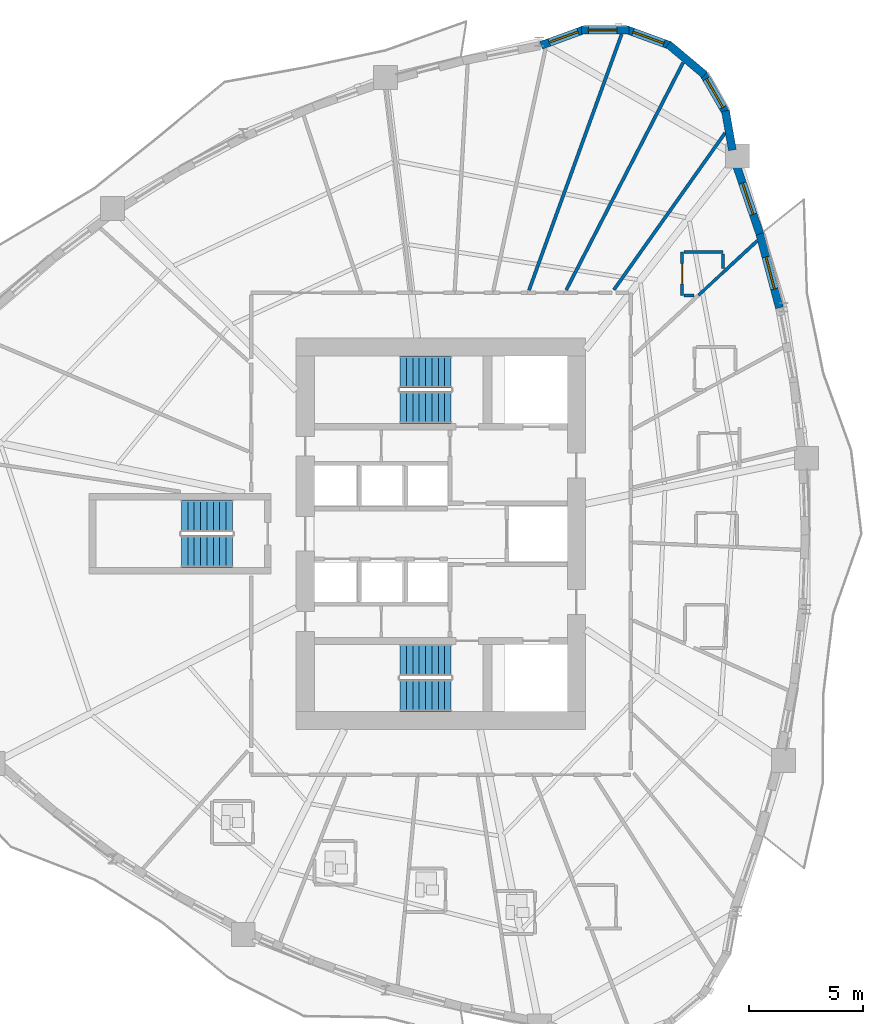
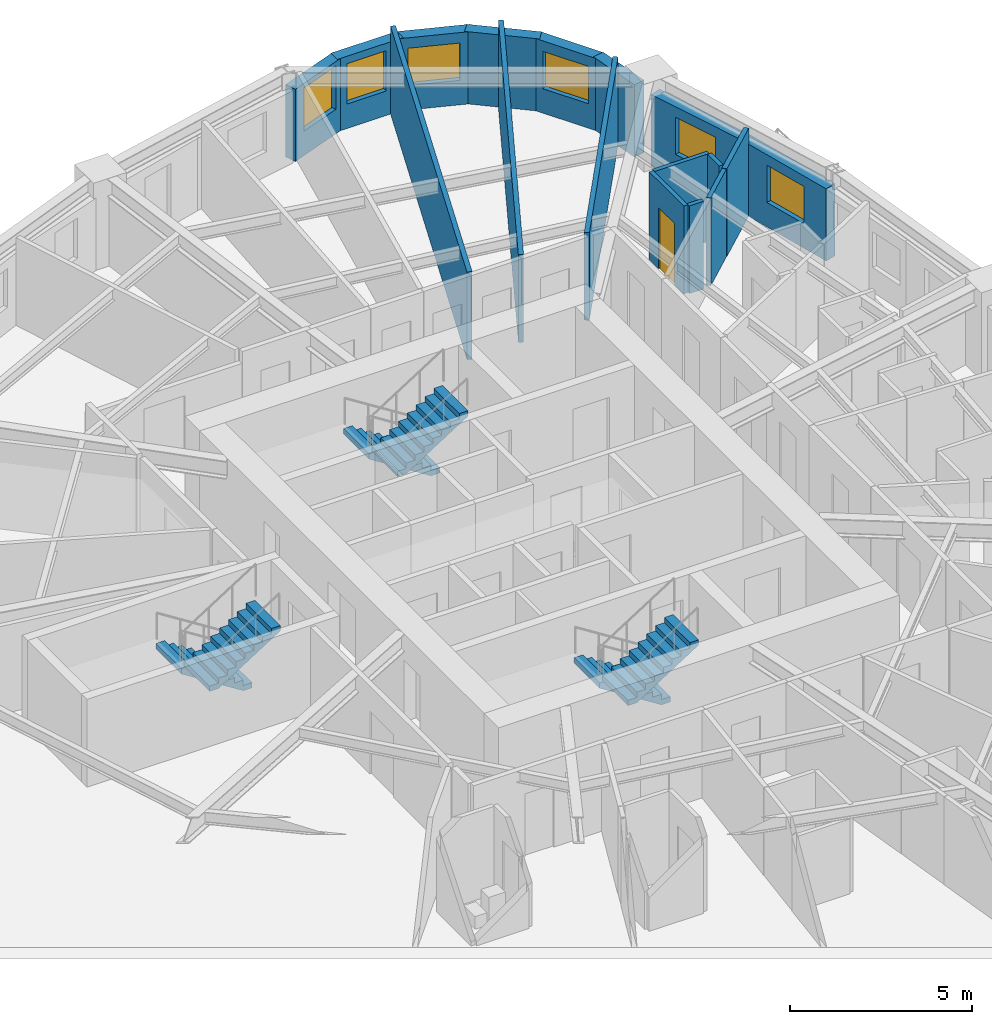
# One storey, part 9 of 14: 17 walls, 6 stair flights, 6 windows, 1 door, 7 openings, 3 elements without a shape of their own.
"""IFC4 building model written with IfcOpenShell, lengths in metres."""

from ifc_helpers import new_model, si_unit, direction, frame, frame_2d, origin, place, context, subcontext, project, spatial, polyline, rectangle, outline, extrude, source, transform, mapped, material, layer, layer_set, type_object, element, fill, aggregate, save


model = new_model("IFC4")

# Units and contexts
model_context = context("Model", 3, precision=1e-05, world=origin(), true_north=direction((0.0, 1.0)))
body_context = subcontext(model_context, "Body", "Model", "MODEL_VIEW")
ifc_project = project(units=[si_unit("LENGTHUNIT", "METRE"), si_unit("AREAUNIT", "SQUARE_METRE"), si_unit("VOLUMEUNIT", "CUBIC_METRE"), si_unit("PLANEANGLEUNIT", "RADIAN"), si_unit("MASSUNIT", "GRAM", prefix="KILO")], contexts=[model_context])

# Site, building, storey
site_placement = place(None, origin())
site = spatial("IfcSite", under=ifc_project, at=site_placement, CompositionType="ELEMENT")
building_placement = place(site_placement, origin())
building = spatial("IfcBuilding", under=site, at=building_placement, Name="Qafzar Sky-Pleat Residences", CompositionType="ELEMENT")
storey_placement = place(building_placement, frame((0.0, 0.0, 20.60009765625)))
storey = spatial("IfcBuildingStorey", under=building, at=storey_placement, Name="L05", CompositionType="ELEMENT", Elevation=20.60009765625)

# Walls
ifc_material_1 = material(Name="Acoustic gypsum plasterboard partition", Category="gypsum")
ifc_layer_1 = layer(ifc_material_1, 0.14501953125)
ifc_layer_set_1 = layer_set([ifc_layer_1], Name="Acoustic gypsum plasterboard partition")
wall_type_1 = type_object("IfcWallType", Name="PART-UNIT-145", PredefinedType="PARTITIONING", material=ifc_layer_set_1)
wall_1_placement = place(storey_placement, frame((34.218505859375, 36.692138671875, 0.0), z_axis=(0.0, 0.0, 1.0), x_axis=(0.340186046968, 0.940358151689, 0.0)))
element("IfcWall", 1, at=wall_1_placement, inside=storey, type_object=wall_type_1, Name="L05 Partition Wall PART-L05-PW-036", PredefinedType="PARTITIONING", context=body_context, shape_type="SweptSolid", body=[
    extrude(rectangle(XDim=11.951416015625, YDim=0.14501953125, at=frame_2d((5.9755859375, 0.0))), origin(), (0.0, 0.0, 1.0), 2.93994140625),
])
wall_2_placement = place(storey_placement, frame((35.851806640625, 36.7001953125, 0.0), z_axis=(0.0, 0.0, 1.0), x_axis=(0.457258091214, 0.889334041865, 0.0)))
element("IfcWall", 2, at=wall_2_placement, inside=storey, type_object=wall_type_1, Name="L05 Partition Wall PART-L05-PW-037", PredefinedType="PARTITIONING", context=body_context, shape_type="SweptSolid", body=[
    extrude(rectangle(XDim=11.226806640625, YDim=0.14501953125, at=frame_2d((5.61328125, 0.0))), origin(), (0.0, 0.0, 1.0), 2.93994140625),
])
wall_3_placement = place(storey_placement, frame((37.943115234375, 36.70849609375, 0.0), z_axis=(0.0, 0.0, 1.0), x_axis=(0.578429476704, 0.81573239514, 0.0)))
element("IfcWall", 3, at=wall_3_placement, inside=storey, type_object=wall_type_1, Name="L05 Partition Wall PART-L05-PW-043", PredefinedType="PARTITIONING", context=body_context, shape_type="SweptSolid", body=[
    extrude(rectangle(XDim=8.446533203125, YDim=0.14501953125, at=frame_2d((4.22314453125, 0.0))), origin(), (0.0, 0.0, 1.0), 2.93994140625),
])
wall_4_placement = place(storey_placement, frame((42.742919921875, 37.47705078125, 0.0), z_axis=(0.0, 0.0, 1.0), x_axis=(0.73374741774, 0.679422347999, 0.0)))
element("IfcWall", 4, at=wall_4_placement, inside=storey, type_object=wall_type_1, Name="L05 Partition Wall PART-L05-PW-066", PredefinedType="PARTITIONING", context=body_context, shape_type="SweptSolid", body=[
    extrude(rectangle(XDim=2.040283203125, YDim=0.14501953125, at=frame_2d((1.02001953125, 0.0))), origin(), (0.0, 0.0, 1.0), 2.93994140625),
])

# Wall, opening, door
ifc_material_2 = material(Name="Moisture-resistant gypsum partition", Category="gypsum")
ifc_layer_2 = layer(ifc_material_2, 0.1298828125)
ifc_layer_set_2 = layer_set([ifc_layer_2], Name="Moisture-resistant gypsum partition")
wall_type_2 = type_object("IfcWallType", Name="PART-WET-130", PredefinedType="PARTITIONING", material=ifc_layer_set_2)
wall_5_placement = place(storey_placement, frame((40.943115234375, 38.367919921875, 0.0), z_axis=(0.0, 0.0, 1.0), x_axis=(0.0, -1.0, 0.0)))
wall_5 = element("IfcWall", 5, at=wall_5_placement, inside=storey, type_object=wall_type_2, Name="L05 Partition Wall PART-L05-PW-024", PredefinedType="PARTITIONING", context=body_context, shape_type="SweptSolid", body=[
    extrude(rectangle(XDim=1.89990234375, YDim=0.1298828125, at=frame_2d((0.949951171875, 0.0))), origin(), (0.0, 0.0, 1.0), 2.93994140625),
])
opening_1_placement = place(wall_5_placement, frame((0.510009765625, 0.0, 0.0)))
opening_1 = element("IfcOpeningElement", 6, at=opening_1_placement, cuts=wall_5, Name="Opening ID-07", PredefinedType="OPENING", context=body_context, shape_type="SweptSolid", body=[
    extrude(rectangle(XDim=0.8798828125, YDim=2.050048828125, at=frame_2d((0.43994140625, 1.02490234375))), frame((0.0, 0.074951171875, 0.0), z_axis=(0.0, -1.0, 0.0), x_axis=(1.0, 0.0, 0.0)), (0.0, 0.0, 1.0), 0.14990234375),
])
ifc_material_3 = material(Name="Timber-faced fire door", Category="wood")
door_type = type_object("IfcDoorType", Name="DR-WET-880", OperationType="NOTDEFINED", PredefinedType="DOOR", material=ifc_material_3)
shared_shape_1 = source(origin(), body_context, "Body", "SweptSolid", [
    extrude(rectangle(XDim=0.8798828125, YDim=2.050048828125, at=frame_2d((0.43994140625, 1.02490234375))), frame((0.0, 0.02490234375, 0.0), z_axis=(0.0, -1.0, 0.0), x_axis=(1.0, 0.0, 0.0)), (0.0, 0.0, 1.0), 0.050048828125),
])
door_placement = place(opening_1_placement, origin())
door = element("IfcDoor", 7, at=door_placement, inside=storey, type_object=door_type, Name="L05 En-suite Bathroom 13 Door", OperationType="SINGLE_SWING_LEFT", OverallHeight=2.050048828125, OverallWidth=0.8798828125, PredefinedType="DOOR", context=body_context, shape_type="MappedRepresentation", body=[
    mapped(shared_shape_1, transform((0.0, 0.0, 0.0), x_axis=(1.0, 0.0, 0.0), y_axis=(0.0, 1.0, 0.0), z_axis=(0.0, 0.0, 1.0), scale=1.0)),
])
fill(opening_1, door)

# Walls
wall_6_placement = place(storey_placement, frame((41.01611328125, 38.367919921875, 0.0), z_axis=(0.0, 0.0, 1.0), x_axis=(1.0, 0.0, 0.0)))
element("IfcWall", 8, at=wall_6_placement, inside=storey, type_object=wall_type_2, Name="L05 Partition Wall PART-L05-PW-072", PredefinedType="PARTITIONING", context=body_context, shape_type="SweptSolid", body=[
    extrude(rectangle(XDim=1.726806640625, YDim=0.1298828125, at=frame_2d((0.86328125, 0.0))), origin(), (0.0, 0.0, 1.0), 2.93994140625),
])
wall_7_placement = place(storey_placement, frame((41.6650390625, 36.478271484375, 0.0), z_axis=(0.0, 0.0, 1.0), x_axis=(0.733534386117, 0.679652340821, 0.0)))
element("IfcWall", 9, at=wall_7_placement, inside=storey, type_object=wall_type_2, Name="L05 Partition Wall PART-L05-PW-089", PredefinedType="PARTITIONING", context=body_context, shape_type="SweptSolid", body=[
    extrude(rectangle(XDim=1.454345703125, YDim=0.1298828125, at=frame_2d((0.72705078125, 0.0))), origin(), (0.0, 0.0, 1.0), 2.93994140625),
])
wall_8_placement = place(storey_placement, frame((42.742919921875, 37.64404296875, 0.0), z_axis=(0.0, 0.0, 1.0), x_axis=(0.0, 1.0, 0.0)))
element("IfcWall", 10, at=wall_8_placement, inside=storey, type_object=wall_type_2, Name="L05 Partition Wall PART-L05-PW-097", PredefinedType="PARTITIONING", context=body_context, shape_type="SweptSolid", body=[
    extrude(rectangle(XDim=0.65087890625, YDim=0.1298828125, at=frame_2d((0.325439453125, 0.0))), origin(), (0.0, 0.0, 1.0), 2.93994140625),
])
wall_9_placement = place(storey_placement, frame((41.01611328125, 36.468017578125, 0.0), z_axis=(0.0, 0.0, 1.0), x_axis=(1.0, 0.0, 0.0)))
element("IfcWall", 11, at=wall_9_placement, inside=storey, type_object=wall_type_2, Name="L05 Partition Wall PART-L05-PW-099", PredefinedType="PARTITIONING", context=body_context, shape_type="SweptSolid", body=[
    extrude(rectangle(XDim=0.452880859375, YDim=0.1298828125, at=frame_2d((0.2265625, 0.0))), origin(), (0.0, 0.0, 1.0), 2.93994140625),
])

# Wall, opening, window
ifc_material_4 = material(Name="Precast concrete C40/50 with honed Riyadh limestone", Category="concrete")
ifc_layer_3 = layer(ifc_material_4, 0.35009765625)
ifc_layer_set_3 = layer_set([ifc_layer_3], Name="Precast concrete C40/50 with honed Riyadh limestone")
wall_type_3 = type_object("IfcWallType", Name="WALL-EXT-350", PredefinedType="SOLIDWALL", material=ifc_layer_set_3)
wall_10_placement = place(storey_placement, frame((45.21435546875, 35.92236328125, 0.0), z_axis=(0.0, 0.0, 1.0), x_axis=(-0.257081073508, 0.966389839373, 0.0)))
wall_10 = element("IfcWall", 12, at=wall_10_placement, inside=storey, type_object=wall_type_3, Name="L05 Limestone Facade Wall 31", PredefinedType="SOLIDWALL", context=body_context, shape_type="SweptSolid", body=[
    extrude(rectangle(XDim=3.44921875, YDim=0.35009765625, at=frame_2d((1.724609375, 0.0))), origin(), (0.0, 0.0, 1.0), 2.419921875),
])
opening_2_placement = place(wall_10_placement, frame((0.856689453125, 0.0, 0.820068359375)))
opening_2 = element("IfcOpeningElement", 13, at=opening_2_placement, cuts=wall_10, Name="Opening WN-15", PredefinedType="OPENING", context=body_context, shape_type="SweptSolid", body=[
    extrude(rectangle(XDim=1.449951171875, YDim=1.25, at=frame_2d((0.72509765625, 0.625))), frame((0.0, 0.18505859375, 0.0), z_axis=(0.0, -1.0, 0.0), x_axis=(1.0, 0.0, 0.0)), (0.0, 0.0, 1.0), 0.3701171875),
])
ifc_material_5 = material(Name="Solar-control low-E glass in bronze aluminium frame", Category="glass")
window_type_1 = type_object("IfcWindowType", Name="WIN-15", PartitioningType="SINGLE_PANEL", PredefinedType="WINDOW", material=ifc_material_5)
shared_shape_2 = source(origin(), body_context, "Body", "SweptSolid", [
    extrude(rectangle(XDim=1.449951171875, YDim=1.25, at=frame_2d((0.72509765625, 0.625))), frame((0.0, 0.030029296875, 0.0), z_axis=(0.0, -1.0, 0.0), x_axis=(1.0, 0.0, 0.0)), (0.0, 0.0, 1.0), 0.06005859375),
])
window_1_placement = place(opening_2_placement, origin())
window_1 = element("IfcWindow", 14, at=window_1_placement, inside=storey, type_object=window_type_1, Name="L05 Punched Facade Window 31", OverallHeight=1.25, OverallWidth=1.449951171875, PartitioningType="SINGLE_PANEL", PredefinedType="WINDOW", context=body_context, shape_type="MappedRepresentation", body=[
    mapped(shared_shape_2, transform((0.0, 0.0, 0.0), x_axis=(1.0, 0.0, 0.0), y_axis=(0.0, 1.0, 0.0), z_axis=(0.0, 0.0, 1.0), scale=1.0)),
])
fill(opening_2, window_1)

wall_11_placement = place(storey_placement, frame((44.353271484375, 39.17138671875, 0.0), z_axis=(0.0, 0.0, 1.0), x_axis=(-0.323604310653, 0.946192501623, 0.0)))
wall_11 = element("IfcWall", 15, at=wall_11_placement, inside=storey, type_object=wall_type_3, Name="L05 Limestone Facade Wall 32", PredefinedType="SOLIDWALL", context=body_context, shape_type="SweptSolid", body=[
    extrude(rectangle(XDim=3.24267578125, YDim=0.35009765625, at=frame_2d((1.621337890625, 0.0))), origin(), (0.0, 0.0, 1.0), 2.419921875),
])
opening_3_placement = place(wall_11_placement, frame((0.9013671875, 0.0, 0.820068359375)))
opening_3 = element("IfcOpeningElement", 16, at=opening_3_placement, cuts=wall_11, Name="Opening WN-15", PredefinedType="OPENING", context=body_context, shape_type="SweptSolid", body=[
    extrude(rectangle(XDim=1.449951171875, YDim=1.25, at=frame_2d((0.72509765625, 0.625))), frame((0.0, 0.18505859375, 0.0), z_axis=(0.0, -1.0, 0.0), x_axis=(1.0, 0.0, 0.0)), (0.0, 0.0, 1.0), 0.3701171875),
])
window_2_placement = place(opening_3_placement, origin())
window_2 = element("IfcWindow", 17, at=window_2_placement, inside=storey, type_object=window_type_1, Name="L05 Punched Facade Window 32", OverallHeight=1.25, OverallWidth=1.449951171875, PartitioningType="SINGLE_PANEL", PredefinedType="WINDOW", context=body_context, shape_type="MappedRepresentation", body=[
    mapped(shared_shape_2, transform((0.0, 0.0, 0.0), x_axis=(1.0, 0.0, 0.0), y_axis=(0.0, 1.0, 0.0), z_axis=(0.0, 0.0, 1.0), scale=1.0)),
])
fill(opening_3, window_2)

# Wall
wall_12_placement = place(storey_placement, frame((43.148193359375, 42.84521484375, 0.0), z_axis=(0.0, 0.0, 1.0), x_axis=(-0.173745591742, 0.984790571315, 0.0)))
element("IfcWall", 18, at=wall_12_placement, inside=storey, type_object=wall_type_3, Name="L05 Limestone Facade Wall 33", PredefinedType="SOLIDWALL", context=body_context, shape_type="SweptSolid", body=[
    extrude(rectangle(XDim=1.752197265625, YDim=0.35009765625, at=frame_2d((0.8759765625, 0.0))), origin(), (0.0, 0.0, 1.0), 2.419921875),
])

# Wall, opening, window
wall_13_placement = place(storey_placement, frame((42.89013671875, 44.443359375, 0.0), z_axis=(0.0, 0.0, 1.0), x_axis=(-0.499995423472, 0.866028046028, 0.0)))
wall_13 = element("IfcWall", 19, at=wall_13_placement, inside=storey, type_object=wall_type_3, Name="L05 Limestone Facade Wall 34", PredefinedType="SOLIDWALL", context=body_context, shape_type="SweptSolid", body=[
    extrude(rectangle(XDim=2.09033203125, YDim=0.35009765625, at=frame_2d((1.045166015625, 0.0))), origin(), (0.0, 0.0, 1.0), 2.419921875),
])
opening_4_placement = place(wall_13_placement, frame((0.320068359375, 0.0, 0.820068359375)))
opening_4 = element("IfcOpeningElement", 20, at=opening_4_placement, cuts=wall_13, Name="Opening WN-15", PredefinedType="OPENING", context=body_context, shape_type="SweptSolid", body=[
    extrude(rectangle(XDim=1.449951171875, YDim=1.25, at=frame_2d((0.72509765625, 0.625))), frame((0.0, 0.18505859375, 0.0), z_axis=(0.0, -1.0, 0.0), x_axis=(1.0, 0.0, 0.0)), (0.0, 0.0, 1.0), 0.3701171875),
])
window_3_placement = place(opening_4_placement, origin())
window_3 = element("IfcWindow", 21, at=window_3_placement, inside=storey, type_object=window_type_1, Name="L05 Punched Facade Window 34", OverallHeight=1.25, OverallWidth=1.449951171875, PartitioningType="SINGLE_PANEL", PredefinedType="WINDOW", context=body_context, shape_type="MappedRepresentation", body=[
    mapped(shared_shape_2, transform((0.0, 0.0, 0.0), x_axis=(1.0, 0.0, 0.0), y_axis=(0.0, 1.0, 0.0), z_axis=(0.0, 0.0, 1.0), scale=1.0)),
])
fill(opening_4, window_3)

# Wall
wall_14_placement = place(storey_placement, frame((41.93212890625, 46.149658203125, 0.0), z_axis=(0.0, 0.0, 1.0), x_axis=(-0.766024572719, 0.642811289563, 0.0)))
element("IfcWall", 22, at=wall_14_placement, inside=storey, type_object=wall_type_3, Name="L05 Limestone Facade Wall 35", PredefinedType="SOLIDWALL", context=body_context, shape_type="SweptSolid", body=[
    extrude(rectangle(XDim=2.09033203125, YDim=0.35009765625, at=frame_2d((1.045166015625, 0.0))), origin(), (0.0, 0.0, 1.0), 2.419921875),
])

# Wall, opening, window
wall_15_placement = place(storey_placement, frame((40.448486328125, 47.425537109375, 0.0), z_axis=(0.0, 0.0, 1.0), x_axis=(-0.939711556618, 0.341968113072, 0.0)))
wall_15 = element("IfcWall", 23, at=wall_15_placement, inside=storey, type_object=wall_type_3, Name="L05 Limestone Facade Wall 36", PredefinedType="SOLIDWALL", context=body_context, shape_type="SweptSolid", body=[
    extrude(rectangle(XDim=2.09033203125, YDim=0.35009765625, at=frame_2d((1.045166015625, 0.0))), origin(), (0.0, 0.0, 1.0), 2.419921875),
])
opening_5_placement = place(wall_15_placement, frame((0.320068359375, 0.0, 0.820068359375)))
opening_5 = element("IfcOpeningElement", 24, at=opening_5_placement, cuts=wall_15, Name="Opening WN-15", PredefinedType="OPENING", context=body_context, shape_type="SweptSolid", body=[
    extrude(rectangle(XDim=1.449951171875, YDim=1.25, at=frame_2d((0.72509765625, 0.625))), frame((0.0, 0.18505859375, 0.0), z_axis=(0.0, -1.0, 0.0), x_axis=(1.0, 0.0, 0.0)), (0.0, 0.0, 1.0), 0.3701171875),
])
window_4_placement = place(opening_5_placement, origin())
window_4 = element("IfcWindow", 25, at=window_4_placement, inside=storey, type_object=window_type_1, Name="L05 Punched Facade Window 36", OverallHeight=1.25, OverallWidth=1.449951171875, PartitioningType="SINGLE_PANEL", PredefinedType="WINDOW", context=body_context, shape_type="MappedRepresentation", body=[
    mapped(shared_shape_2, transform((0.0, 0.0, 0.0), x_axis=(1.0, 0.0, 0.0), y_axis=(0.0, 1.0, 0.0), z_axis=(0.0, 0.0, 1.0), scale=1.0)),
])
fill(opening_5, window_4)

wall_16_placement = place(storey_placement, frame((38.61767578125, 48.116943359375, 0.0), z_axis=(0.0, 0.0, 1.0), x_axis=(-1.0, 0.0, 0.0)))
wall_16 = element("IfcWall", 26, at=wall_16_placement, inside=storey, type_object=wall_type_3, Name="L05 Limestone Facade Wall 37", PredefinedType="SOLIDWALL", context=body_context, shape_type="SweptSolid", body=[
    extrude(rectangle(XDim=2.09033203125, YDim=0.35009765625, at=frame_2d((1.045166015625, 0.0))), origin(), (0.0, 0.0, 1.0), 2.419921875),
])
opening_6_placement = place(wall_16_placement, frame((0.543212890625, 0.0, 0.820068359375)))
opening_6 = element("IfcOpeningElement", 27, at=opening_6_placement, cuts=wall_16, Name="Opening WN-11", PredefinedType="OPENING", context=body_context, shape_type="SweptSolid", body=[
    extrude(rectangle(XDim=1.25, YDim=1.35009765625, at=frame_2d((0.625, 0.675048828125))), frame((0.0, 0.18505859375, 0.0), z_axis=(0.0, -1.0, 0.0), x_axis=(1.0, 0.0, 0.0)), (0.0, 0.0, 1.0), 0.3701171875),
])
window_type_2 = type_object("IfcWindowType", Name="WIN-11", PartitioningType="SINGLE_PANEL", PredefinedType="WINDOW", material=ifc_material_5)
shared_shape_3 = source(origin(), body_context, "Body", "SweptSolid", [
    extrude(rectangle(XDim=1.25, YDim=1.35009765625, at=frame_2d((0.625, 0.675048828125))), frame((0.0, 0.030029296875, 0.0), z_axis=(0.0, -1.0, 0.0), x_axis=(1.0, 0.0, 0.0)), (0.0, 0.0, 1.0), 0.06005859375),
])
window_5_placement = place(opening_6_placement, origin())
window_5 = element("IfcWindow", 28, at=window_5_placement, inside=storey, type_object=window_type_2, Name="L05 Punched Facade Window 37", OverallHeight=1.35009765625, OverallWidth=1.25, PartitioningType="SINGLE_PANEL", PredefinedType="WINDOW", context=body_context, shape_type="MappedRepresentation", body=[
    mapped(shared_shape_3, transform((0.0, 0.0, 0.0), x_axis=(1.0, 0.0, 0.0), y_axis=(0.0, 1.0, 0.0), z_axis=(0.0, 0.0, 1.0), scale=1.0)),
])
fill(opening_6, window_5)

wall_17_placement = place(storey_placement, frame((36.660888671875, 48.140380859375, 0.0), z_axis=(0.0, 0.0, 1.0), x_axis=(-0.939691662178, -0.342022777067, 0.0)))
wall_17 = element("IfcWall", 29, at=wall_17_placement, inside=storey, type_object=wall_type_3, Name="L05 Limestone Facade Wall 38", PredefinedType="SOLIDWALL", context=body_context, shape_type="SweptSolid", body=[
    extrude(rectangle(XDim=2.0322265625, YDim=0.35009765625, at=frame_2d((1.01611328125, 0.0))), origin(), (0.0, 0.0, 1.0), 2.419921875),
])
opening_7_placement = place(wall_17_placement, frame((0.302490234375, 0.0, 0.820068359375)))
opening_7 = element("IfcOpeningElement", 30, at=opening_7_placement, cuts=wall_17, Name="Opening WN-04", PredefinedType="OPENING", context=body_context, shape_type="SweptSolid", body=[
    extrude(rectangle(XDim=1.35009765625, YDim=1.449951171875, at=frame_2d((0.675048828125, 0.72509765625))), frame((0.0, 0.18505859375, 0.0), z_axis=(0.0, -1.0, 0.0), x_axis=(1.0, 0.0, 0.0)), (0.0, 0.0, 1.0), 0.3701171875),
])
window_type_3 = type_object("IfcWindowType", Name="WIN-04", PartitioningType="SINGLE_PANEL", PredefinedType="WINDOW", material=ifc_material_5)
shared_shape_4 = source(origin(), body_context, "Body", "SweptSolid", [
    extrude(rectangle(XDim=1.35009765625, YDim=1.449951171875, at=frame_2d((0.675048828125, 0.72509765625))), frame((0.0, 0.030029296875, 0.0), z_axis=(0.0, -1.0, 0.0), x_axis=(1.0, 0.0, 0.0)), (0.0, 0.0, 1.0), 0.06005859375),
])
window_6_placement = place(opening_7_placement, origin())
window_6 = element("IfcWindow", 31, at=window_6_placement, inside=storey, type_object=window_type_3, Name="L05 Punched Facade Window 38", OverallHeight=1.449951171875, OverallWidth=1.35009765625, PartitioningType="SINGLE_PANEL", PredefinedType="WINDOW", context=body_context, shape_type="MappedRepresentation", body=[
    mapped(shared_shape_4, transform((0.0, 0.0, 0.0), x_axis=(1.0, 0.0, 0.0), y_axis=(0.0, 1.0, 0.0), z_axis=(0.0, 0.0, 1.0), scale=1.0)),
])
fill(opening_7, window_6)

# Stair, stair flights
ifc_material_6 = material(Name="Concrete C40/50", Category="concrete")
stair_type = type_object("IfcStairType", Name="STAIR-H320", PredefinedType="HALF_TURN_STAIR", material=ifc_material_6)
stair_1_placement = place(storey_placement, origin())
stair_1 = element("IfcStair", 32, at=stair_1_placement, inside=storey, type_object=stair_type, Name="L05 Protected Exit Stair ST1", PredefinedType="HALF_TURN_STAIR")
stair_flight_type = type_object("IfcStairFlightType", Name="FLIGHT-H320", PredefinedType="STRAIGHT", material=ifc_material_6)
shared_shape_5 = source(origin(), body_context, "Body", "SweptSolid", [
    extrude(outline(polyline([(0.0, 0.0), (0.0, 0.177734375), (0.280029296875, 0.177734375), (0.280029296875, 0.35546875), (0.56005859375, 0.35546875), (0.56005859375, 0.533447265625), (0.840087890625, 0.533447265625), (0.840087890625, 0.711181640625), (1.1201171875, 0.711181640625), (1.1201171875, 0.888916015625), (1.39990234375, 0.888916015625), (1.39990234375, 1.066650390625), (1.679931640625, 1.066650390625), (1.679931640625, 1.244384765625), (1.9599609375, 1.244384765625), (1.9599609375, 1.422119140625), (2.239990234375, 1.422119140625), (2.239990234375, 1.60009765625), (2.239990234375, 1.24462890625), (0.27978515625, 0.0), (0.0, 0.0)])), frame((0.0, 0.699951171875, 0.0), z_axis=(0.0, -1.0, 0.0), x_axis=(1.0, 0.0, 0.0)), (0.0, 0.0, 1.0), 1.39990234375),
])
stair_flight_1_placement = place(storey_placement, frame((30.800048828125, 20.449951171875, 0.0), z_axis=(0.0, 0.0, 1.0), x_axis=(-1.0, 0.0, 0.0)))
stair_flight_1 = element("IfcStairFlight", 33, at=stair_flight_1_placement, type_object=stair_flight_type, Name="ST1 flight 1", NumberOfRisers=9, NumberOfTreads=8, PredefinedType="STRAIGHT", RiserHeight=0.177777778, TreadLength=0.28, context=body_context, shape_type="MappedRepresentation", body=[
    mapped(shared_shape_5, transform((0.0, 0.0, 0.0), x_axis=(1.0, 0.0, 0.0), y_axis=(0.0, 1.0, 0.0), z_axis=(0.0, 0.0, 1.0), scale=1.0)),
])
stair_flight_2_placement = place(storey_placement, frame((28.56005859375, 18.89990234375, 1.599853515625), z_axis=(0.0, 0.0, 1.0), x_axis=(1.0, 0.0, 0.0)))
stair_flight_2 = element("IfcStairFlight", 34, at=stair_flight_2_placement, type_object=stair_flight_type, Name="ST1 flight 2", NumberOfRisers=9, NumberOfTreads=8, PredefinedType="STRAIGHT", RiserHeight=0.177777778, TreadLength=0.28, context=body_context, shape_type="MappedRepresentation", body=[
    mapped(shared_shape_5, transform((0.0, 0.0, 0.0), x_axis=(1.0, 0.0, 0.0), y_axis=(0.0, 1.0, 0.0), z_axis=(0.0, 0.0, 1.0), scale=1.0)),
])
aggregate(stair_1, [stair_flight_1, stair_flight_2])

stair_2_placement = place(storey_placement, origin())
stair_2 = element("IfcStair", 35, at=stair_2_placement, inside=storey, type_object=stair_type, Name="L05 Protected Exit Stair ST2", PredefinedType="HALF_TURN_STAIR")
stair_flight_3_placement = place(storey_placement, frame((30.800048828125, 33.10009765625, 0.0), z_axis=(0.0, 0.0, 1.0), x_axis=(-1.0, 0.0, 0.0)))
stair_flight_3 = element("IfcStairFlight", 36, at=stair_flight_3_placement, type_object=stair_flight_type, Name="ST2 flight 1", NumberOfRisers=9, NumberOfTreads=8, PredefinedType="STRAIGHT", RiserHeight=0.177777778, TreadLength=0.28, context=body_context, shape_type="MappedRepresentation", body=[
    mapped(shared_shape_5, transform((0.0, 0.0, 0.0), x_axis=(1.0, 0.0, 0.0), y_axis=(0.0, 1.0, 0.0), z_axis=(0.0, 0.0, 1.0), scale=1.0)),
])
stair_flight_4_placement = place(storey_placement, frame((28.56005859375, 31.550048828125, 1.599853515625), z_axis=(0.0, 0.0, 1.0), x_axis=(1.0, 0.0, 0.0)))
stair_flight_4 = element("IfcStairFlight", 37, at=stair_flight_4_placement, type_object=stair_flight_type, Name="ST2 flight 2", NumberOfRisers=9, NumberOfTreads=8, PredefinedType="STRAIGHT", RiserHeight=0.177777778, TreadLength=0.28, context=body_context, shape_type="MappedRepresentation", body=[
    mapped(shared_shape_5, transform((0.0, 0.0, 0.0), x_axis=(1.0, 0.0, 0.0), y_axis=(0.0, 1.0, 0.0), z_axis=(0.0, 0.0, 1.0), scale=1.0)),
])
aggregate(stair_2, [stair_flight_3, stair_flight_4])

stair_3_placement = place(storey_placement, origin())
stair_3 = element("IfcStair", 38, at=stair_3_placement, inside=storey, type_object=stair_type, Name="L05 Protected Exit Stair ST3", PredefinedType="HALF_TURN_STAIR")
stair_flight_5_placement = place(storey_placement, frame((21.199951171875, 26.77490234375, 0.0), z_axis=(0.0, 0.0, 1.0), x_axis=(-1.0, 0.0, 0.0)))
stair_flight_5 = element("IfcStairFlight", 39, at=stair_flight_5_placement, type_object=stair_flight_type, Name="ST3 flight 1", NumberOfRisers=9, NumberOfTreads=8, PredefinedType="STRAIGHT", RiserHeight=0.177777778, TreadLength=0.28, context=body_context, shape_type="MappedRepresentation", body=[
    mapped(shared_shape_5, transform((0.0, 0.0, 0.0), x_axis=(1.0, 0.0, 0.0), y_axis=(0.0, 1.0, 0.0), z_axis=(0.0, 0.0, 1.0), scale=1.0)),
])
stair_flight_6_placement = place(storey_placement, frame((18.9599609375, 25.22509765625, 1.599853515625), z_axis=(0.0, 0.0, 1.0), x_axis=(1.0, 0.0, 0.0)))
stair_flight_6 = element("IfcStairFlight", 40, at=stair_flight_6_placement, type_object=stair_flight_type, Name="ST3 flight 2", NumberOfRisers=9, NumberOfTreads=8, PredefinedType="STRAIGHT", RiserHeight=0.177777778, TreadLength=0.28, context=body_context, shape_type="MappedRepresentation", body=[
    mapped(shared_shape_5, transform((0.0, 0.0, 0.0), x_axis=(1.0, 0.0, 0.0), y_axis=(0.0, 1.0, 0.0), z_axis=(0.0, 0.0, 1.0), scale=1.0)),
])
aggregate(stair_3, [stair_flight_5, stair_flight_6])

save(model, "model.ifc")
